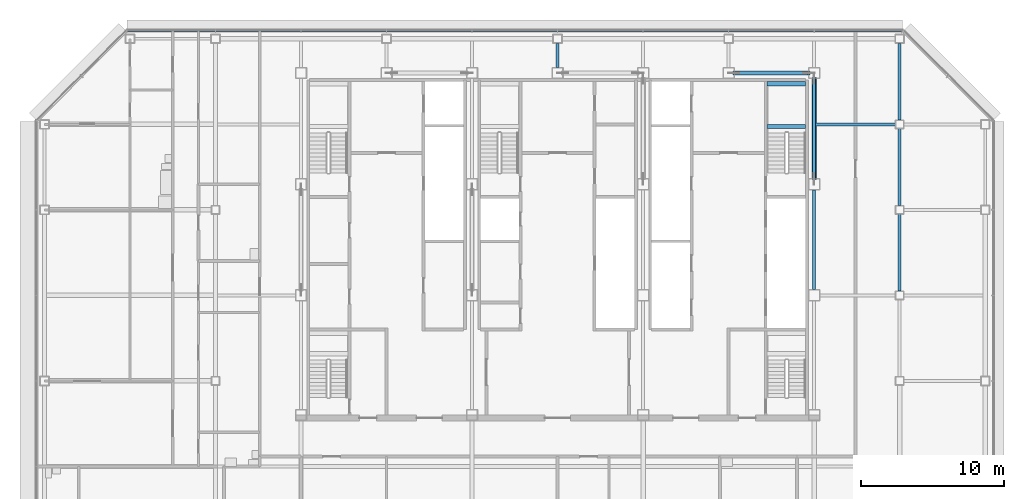
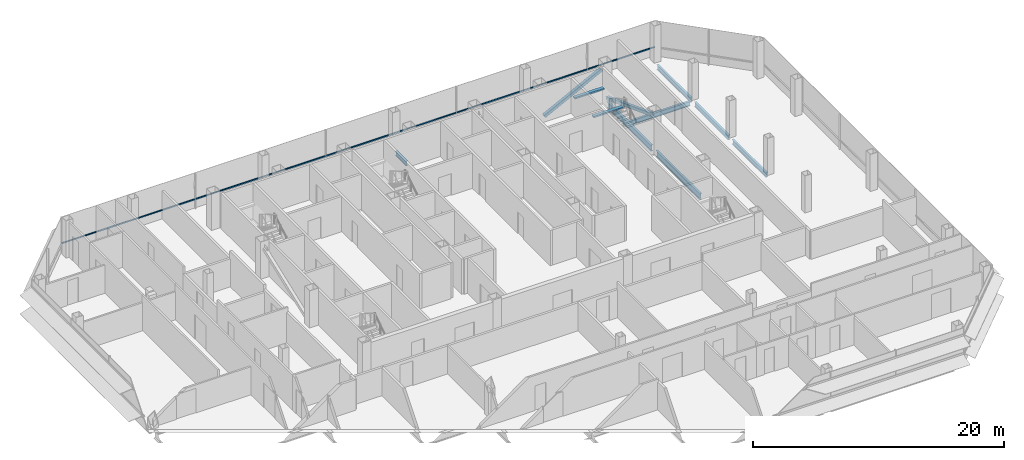
# One storey, part 14 of 27: 9 beams, 3 members, 1 element without a shape of its own.
"""IFC4 building model written with IfcOpenShell, lengths in metres."""

from ifc_helpers import new_model, si_unit, direction, frame, origin, origin_2d, place, context, subcontext, project, spatial, rectangle, hollow_rectangle, i_section, extrude, material, material_profile, profile_set, type_object, element, aggregate, save


model = new_model("IFC4")

# Units and contexts
model_context = context("Model", 3, precision=1e-05, world=origin(), true_north=direction((0.0, 1.0)))
body_context = subcontext(model_context, "Body", "Model", "MODEL_VIEW")
ifc_project = project(units=[si_unit("LENGTHUNIT", "METRE"), si_unit("AREAUNIT", "SQUARE_METRE"), si_unit("VOLUMEUNIT", "CUBIC_METRE"), si_unit("PLANEANGLEUNIT", "RADIAN"), si_unit("MASSUNIT", "GRAM", prefix="KILO")], contexts=[model_context])

# Site, building, storey
site_placement = place(None, origin())
site = spatial("IfcSite", under=ifc_project, at=site_placement, CompositionType="ELEMENT")
building_placement = place(site_placement, origin())
building = spatial("IfcBuilding", under=site, at=building_placement, Name="Sorahane Residences", CompositionType="ELEMENT")
storey_placement = place(building_placement, frame((0.0, 0.0, 239.60009765625)))
storey = spatial("IfcBuildingStorey", under=building, at=storey_placement, Name="L56", CompositionType="ELEMENT", Elevation=239.60009765625)

# Members
ifc_material_1 = material(Name="Steel Q355B", Category="steel")
ifc_material_profile_1 = material_profile(ifc_material_1, hollow_rectangle(XDim=0.300048828125, YDim=0.300048828125, WallThickness=0.01611328125, InnerFilletRadius=0.008056640625, OuterFilletRadius=0.02392578125, at=origin_2d()), Name="RHS 300x300x16")
ifc_profile_set_1 = profile_set([ifc_material_profile_1], Name="Steel Q355B")
member_type_1 = type_object("IfcMemberType", Name="Core brace RHS 300x300x16 Q355B", PredefinedType="BRACE", material=ifc_profile_set_1)
member_1_placement = place(storey_placement, frame((36.35888671875, 45.60009765625, 0.12890625), z_axis=(0.889590046837, 0.0, 0.45675983686), x_axis=(0.0, 1.0, 0.0)))
element("IfcMember", 1, at=member_1_placement, inside=storey, type_object=member_type_1, Name="Core brace L56 y45.6-6", PredefinedType="BRACE", context=body_context, shape_type="SweptSolid", body=[
    extrude(hollow_rectangle(XDim=0.300048828125, YDim=0.300048828125, WallThickness=0.01611328125, InnerFilletRadius=0.008056640625, OuterFilletRadius=0.02392578125, at=origin_2d()), origin(), (0.0, 0.0, 1.0), 5.937744140625),
])
member_2_placement = place(storey_placement, frame((42.0, 45.232177734375, 0.1376953125), z_axis=(0.0, -0.934346475268, 0.35636591329), x_axis=(1.0, 0.0, 0.0)))
element("IfcMember", 2, at=member_2_placement, inside=storey, type_object=member_type_1, Name="Core brace L56 x42-3", PredefinedType="BRACE", context=body_context, shape_type="SweptSolid", body=[
    extrude(hollow_rectangle(XDim=0.300048828125, YDim=0.300048828125, WallThickness=0.01611328125, InnerFilletRadius=0.008056640625, OuterFilletRadius=0.02392578125, at=origin_2d()), origin(), (0.0, 0.0, 1.0), 7.560546875),
])

# Curtain wall, member
ifc_material_2 = material(Name="Dark low-e glass and black anodised aluminium", Category="aluminium")
curtain_wall_type = type_object("IfcCurtainWallType", Name="Curtain wall CW-1 Typical unitised wall", PredefinedType="NOTDEFINED", material=ifc_material_2)
curtain_wall_placement = place(storey_placement, origin())
curtain_wall = element("IfcCurtainWall", 3, at=curtain_wall_placement, inside=storey, type_object=curtain_wall_type, Name="CW-1 curtain wall L56 N1", PredefinedType="NOTDEFINED")
ifc_material_3 = material(Name="Black anodised aluminium", Category="aluminium")
ifc_material_profile_2 = material_profile(ifc_material_3, rectangle(XDim=0.10009765625, YDim=0.06005859375, at=origin_2d()), Name="Curtain wall transom CW-1 black anodised aluminium 60x100")
ifc_profile_set_2 = profile_set([ifc_material_profile_2], Name="Black anodised aluminium")
member_type_2 = type_object("IfcMemberType", Name="Curtain wall transom CW-1 black anodised aluminium 60x100", PredefinedType="USERDEFINED", material=ifc_profile_set_2)
member_3_placement = place(storey_placement, frame((48.198486328125, 48.530029296875, 0.89990234375), z_axis=(-1.0, 0.0, 0.0), x_axis=(0.0, -1.0, 0.0)))
member_3 = element("IfcMember", 4, at=member_3_placement, type_object=member_type_2, Name="CW-1 transom L56 N1", ObjectType="TRANSOM", PredefinedType="USERDEFINED", context=body_context, shape_type="SweptSolid", body=[
    extrude(rectangle(XDim=0.10009765625, YDim=0.06005859375, at=origin_2d()), origin(), (0.0, 0.0, 1.0), 54.39697265625),
])
aggregate(curtain_wall, [member_3])

# Beams
ifc_material_4 = material(Name="Concrete C40", Category="concrete")
ifc_material_profile_3 = material_profile(ifc_material_4, rectangle(XDim=0.300048828125, YDim=0.139892578125, at=origin_2d()), Name="300x140")
ifc_profile_set_3 = profile_set([ifc_material_profile_3], Name="Concrete C40")
beam_type_1 = type_object("IfcBeamType", Name="RC landing beam 300 x 140 Concrete C40", PredefinedType="BEAM", material=ifc_profile_set_3)
for number, where, z_axis, x_axis, name in (
    (5, (38.699951171875, 41.85009765625, 1.52978515625), (1.0, 0.0, 0.0), (0.0, 1.0, 0.0), "Landing beam"),
    (6, (38.699951171875, 44.85009765625, 1.52978515625), (1.0, 0.0, 0.0), (0.0, 1.0, 0.0), "Landing beam"),
):
    element("IfcBeam", number, at=place(storey_placement, frame(where, z_axis=z_axis, x_axis=x_axis)), inside=storey, type_object=beam_type_1, Name=name, PredefinedType="BEAM", context=body_context, shape_type="SweptSolid", body=[
        extrude(rectangle(XDim=0.300048828125, YDim=0.139892578125, at=origin_2d()), origin(), (0.0, 0.0, 1.0), 2.699951171875),
    ])
ifc_material_5 = material(Name="Steel Q355B", Category="steel")
ifc_material_profile_4 = material_profile(ifc_material_5, i_section(OverallWidth=0.199951171875, OverallDepth=0.449951171875, WebThickness=0.009033203125, FlangeThickness=0.013916015625, FilletRadius=0.02001953125, at=origin_2d()), Name="HN 450x200x9x14")
ifc_profile_set_4 = profile_set([ifc_material_profile_4], Name="Steel Q355B")
beam_type_2 = type_object("IfcBeamType", Name="Steel floor beam HN 450x200x9x14 Q355B", PredefinedType="BEAM", material=ifc_profile_set_4)
beam_1_placement = place(storey_placement, frame((24.0, 46.0, -0.405029296875), z_axis=(0.0, 1.0, 0.0), x_axis=(-1.0, 0.0, 0.0)))
element("IfcBeam", 7, at=beam_1_placement, inside=storey, type_object=beam_type_2, Name="Beam L56 043", PredefinedType="BEAM", context=body_context, shape_type="SweptSolid", body=[
    extrude(i_section(OverallWidth=0.199951171875, OverallDepth=0.449951171875, WebThickness=0.009033203125, FlangeThickness=0.013916015625, FilletRadius=0.02001953125, at=origin_2d()), origin(), (0.0, 0.0, 1.0), 1.675048828125),
])
for number, where, z_axis, x_axis, name in (
    (8, (48.0, 30.300048828125, -0.405029296875), (0.0, 1.0, 0.0), (-1.0, 0.0, 0.0), "Beam L56 061"),
    (9, (48.0, 36.300048828125, -0.405029296875), (0.0, 1.0, 0.0), (-1.0, 0.0, 0.0), "Beam L56 062"),
):
    element("IfcBeam", number, at=place(storey_placement, frame(where, z_axis=z_axis, x_axis=x_axis)), inside=storey, type_object=beam_type_2, Name=name, PredefinedType="BEAM", context=body_context, shape_type="SweptSolid", body=[
        extrude(i_section(OverallWidth=0.199951171875, OverallDepth=0.449951171875, WebThickness=0.009033203125, FlangeThickness=0.013916015625, FilletRadius=0.02001953125, at=origin_2d()), origin(), (0.0, 0.0, 1.0), 5.39990234375),
    ])
beam_2_placement = place(storey_placement, frame((48.0, 42.300048828125, -0.405029296875), z_axis=(0.0, 1.0, 0.0), x_axis=(-1.0, 0.0, 0.0)))
element("IfcBeam", 10, at=beam_2_placement, inside=storey, type_object=beam_type_2, Name="Beam L56 063", PredefinedType="BEAM", context=body_context, shape_type="SweptSolid", body=[
    extrude(i_section(OverallWidth=0.199951171875, OverallDepth=0.449951171875, WebThickness=0.009033203125, FlangeThickness=0.013916015625, FilletRadius=0.02001953125, at=origin_2d()), origin(), (0.0, 0.0, 1.0), 5.375),
])
beam_3_placement = place(storey_placement, frame((42.10009765625, 42.0, -0.405029296875), z_axis=(1.0, 0.0, 0.0), x_axis=(0.0, 1.0, 0.0)))
element("IfcBeam", 11, at=beam_3_placement, inside=storey, type_object=beam_type_2, Name="Beam L56 091", PredefinedType="BEAM", context=body_context, shape_type="SweptSolid", body=[
    extrude(i_section(OverallWidth=0.199951171875, OverallDepth=0.449951171875, WebThickness=0.009033203125, FlangeThickness=0.013916015625, FilletRadius=0.02001953125, at=origin_2d()), origin(), (0.0, 0.0, 1.0), 5.599853515625),
])
ifc_material_6 = material(Name="Steel Q355B", Category="steel")
ifc_material_profile_5 = material_profile(ifc_material_6, i_section(OverallWidth=0.199951171875, OverallDepth=0.60009765625, WebThickness=0.010986328125, FlangeThickness=0.01708984375, FilletRadius=0.02392578125, at=origin_2d()), Name="HN 600x200x11x17")
ifc_profile_set_5 = profile_set([ifc_material_profile_5], Name="Steel Q355B")
beam_type_3 = type_object("IfcBeamType", Name="Steel floor beam HN 600x200x11x17 Q355B", PredefinedType="BEAM", material=ifc_profile_set_5)
for number, where, z_axis, x_axis, name in (
    (12, (42.0, 30.39990234375, -0.47998046875), (0.0, 1.0, 0.0), (-1.0, 0.0, 0.0), "Beam L56 055"),
    (13, (42.0, 38.199951171875, -0.47998046875), (0.0, 1.0, 0.0), (-1.0, 0.0, 0.0), "Beam L56 056"),
):
    element("IfcBeam", number, at=place(storey_placement, frame(where, z_axis=z_axis, x_axis=x_axis)), inside=storey, type_object=beam_type_3, Name=name, PredefinedType="BEAM", context=body_context, shape_type="SweptSolid", body=[
        extrude(i_section(OverallWidth=0.199951171875, OverallDepth=0.60009765625, WebThickness=0.010986328125, FlangeThickness=0.01708984375, FilletRadius=0.02392578125, at=origin_2d()), origin(), (0.0, 0.0, 1.0), 7.0),
    ])

save(model, "model.ifc")
